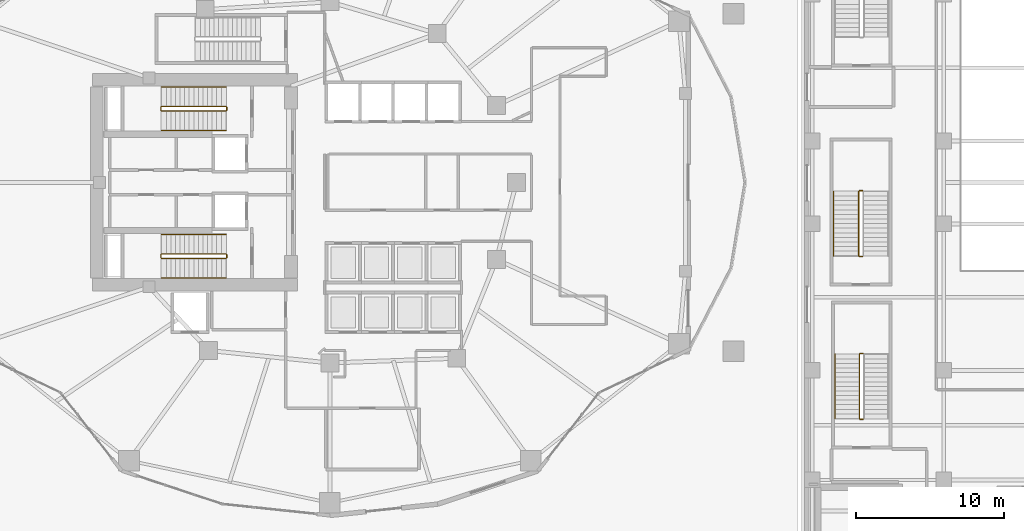
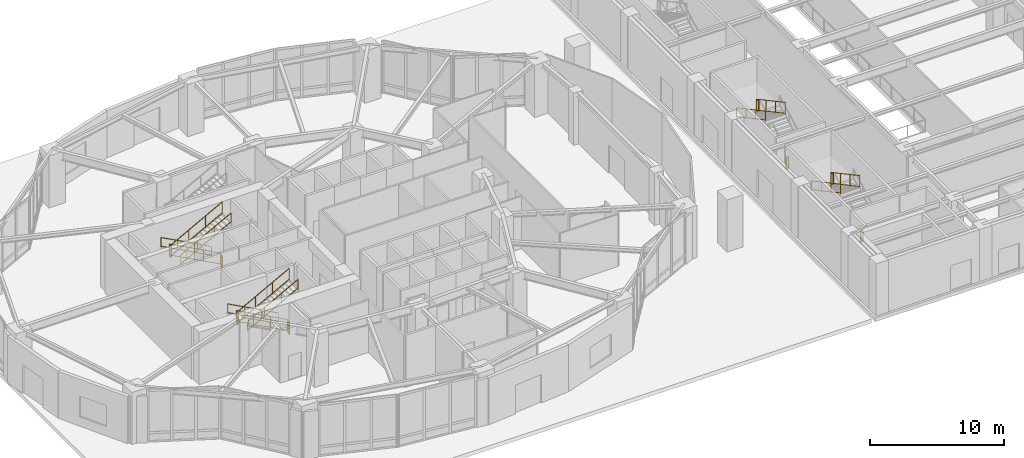
# One storey, part 19 of 23: 20 railings.
"""IFC4 building model written with IfcOpenShell, lengths in metres."""

from ifc_helpers import new_model, si_unit, direction, frame, origin, origin_2d, place, context, subcontext, project, spatial, rectangle, extrude, material, type_object, element, save


model = new_model("IFC4")

# Units and contexts
model_context = context("Model", 3, precision=1e-05, world=origin(), true_north=direction((0.0, 1.0)))
body_context = subcontext(model_context, "Body", "Model", "MODEL_VIEW")
ifc_project = project(units=[si_unit("LENGTHUNIT", "METRE"), si_unit("AREAUNIT", "SQUARE_METRE"), si_unit("VOLUMEUNIT", "CUBIC_METRE"), si_unit("PLANEANGLEUNIT", "RADIAN"), si_unit("MASSUNIT", "GRAM", prefix="KILO")], contexts=[model_context])

# Site, building, storey
site_placement = place(None, origin())
site = spatial("IfcSite", under=ifc_project, at=site_placement, CompositionType="ELEMENT")
building_placement = place(site_placement, origin())
building = spatial("IfcBuilding", under=site, at=building_placement, Name="Kolvaren Gate Tower and Convention Centre", CompositionType="ELEMENT")
storey_placement = place(building_placement, origin())
storey = spatial("IfcBuildingStorey", under=building, at=storey_placement, Name="L00", CompositionType="ELEMENT", Elevation=0.0)

# Railings
ifc_material = material(Name="Brushed Stainless Steel Grade 316L", Category="steel")
railing_type_1 = type_object("IfcRailingType", Name="ARCH-RL-GUARD-1150", PredefinedType="GUARDRAIL", material=ifc_material)
railing_1_placement = place(storey_placement, frame((23.10009765625, 32.1298828125, 0.166748046875)))
element("IfcRailing", 1, at=railing_1_placement, inside=storey, type_object=railing_type_1, Name="L00 ST-T1 stair guard 1", PredefinedType="GUARDRAIL", context=body_context, shape_type="SweptSolid", body=[
    extrude(rectangle(XDim=0.048095703125, YDim=0.048095703125, at=origin_2d()), frame((0.0, 0.0, 1.076171875), z_axis=(-0.880785911426, 0.0, 0.473514707515), x_axis=(0.0, -1.0, 0.0)), (0.0, 0.0, 1.0), 4.927490234375),
    extrude(rectangle(XDim=0.048095703125, YDim=0.048095703125, at=origin_2d()), frame((0.0, 0.0, 0.083984375), z_axis=(-0.880785911426, 0.0, 0.473514707515), x_axis=(0.0, -1.0, 0.0)), (0.0, 0.0, 1.0), 4.927490234375),
    extrude(rectangle(XDim=0.0419921875, YDim=0.0419921875, at=origin_2d()), origin(), (0.0, 0.0, 1.0), 1.050048828125),
    extrude(rectangle(XDim=0.0419921875, YDim=0.0419921875, at=origin_2d()), frame((-4.340087890625, 0.0, 2.333251953125)), (0.0, 0.0, 1.0), 1.050048828125),
    extrude(rectangle(XDim=0.0419921875, YDim=0.0419921875, at=origin_2d()), frame((-1.44677734375, 0.0, 0.77783203125)), (0.0, 0.0, 1.0), 1.050048828125),
    extrude(rectangle(XDim=0.0419921875, YDim=0.0419921875, at=origin_2d()), frame((-2.893310546875, 0.0, 1.555419921875)), (0.0, 0.0, 1.0), 1.050048828125),
])
railing_2_placement = place(storey_placement, frame((18.7099609375, 32.080078125, 2.5)))
element("IfcRailing", 2, at=railing_2_placement, inside=storey, type_object=railing_type_1, Name="L00 ST-T1 stair guard 2", PredefinedType="GUARDRAIL", context=body_context, shape_type="SweptSolid", body=[
    extrude(rectangle(XDim=0.048095703125, YDim=0.048095703125, at=origin_2d()), frame((0.0, 0.0, 1.076171875), z_axis=(0.0, -1.0, 0.0), x_axis=(1.0, 0.0, 0.0)), (0.0, 0.0, 1.0), 0.2001953125),
    extrude(rectangle(XDim=0.048095703125, YDim=0.048095703125, at=origin_2d()), frame((0.0, 0.0, 0.083984375), z_axis=(0.0, -1.0, 0.0), x_axis=(1.0, 0.0, 0.0)), (0.0, 0.0, 1.0), 0.2001953125),
    extrude(rectangle(XDim=0.0419921875, YDim=0.0419921875, at=origin_2d()), origin(), (0.0, 0.0, 1.0), 1.050048828125),
    extrude(rectangle(XDim=0.0419921875, YDim=0.0419921875, at=origin_2d()), frame((0.0, -0.2001953125, 0.0)), (0.0, 0.0, 1.0), 1.050048828125),
])
railing_3_placement = place(storey_placement, frame((18.760009765625, 31.830078125, 2.666748046875)))
element("IfcRailing", 3, at=railing_3_placement, inside=storey, type_object=railing_type_1, Name="L00 ST-T1 stair guard 3", PredefinedType="GUARDRAIL", context=body_context, shape_type="SweptSolid", body=[
    extrude(rectangle(XDim=0.048095703125, YDim=0.048095703125, at=origin_2d()), frame((0.0, 0.0, 1.076171875), z_axis=(0.880785911426, 0.0, 0.473514707515), x_axis=(0.0, 1.0, 0.0)), (0.0, 0.0, 1.0), 4.927490234375),
    extrude(rectangle(XDim=0.048095703125, YDim=0.048095703125, at=origin_2d()), frame((0.0, 0.0, 0.083984375), z_axis=(0.880785911426, 0.0, 0.473514707515), x_axis=(0.0, 1.0, 0.0)), (0.0, 0.0, 1.0), 4.927490234375),
    extrude(rectangle(XDim=0.0419921875, YDim=0.0419921875, at=origin_2d()), origin(), (0.0, 0.0, 1.0), 1.050048828125),
    extrude(rectangle(XDim=0.0419921875, YDim=0.0419921875, at=origin_2d()), frame((4.340087890625, 0.0, 2.333251953125)), (0.0, 0.0, 1.0), 1.050048828125),
    extrude(rectangle(XDim=0.0419921875, YDim=0.0419921875, at=origin_2d()), frame((1.44677734375, 0.0, 0.77783203125)), (0.0, 0.0, 1.0), 1.050048828125),
    extrude(rectangle(XDim=0.0419921875, YDim=0.0419921875, at=origin_2d()), frame((2.893310546875, 0.0, 1.555419921875)), (0.0, 0.0, 1.0), 1.050048828125),
])
railing_4_placement = place(storey_placement, frame((23.14990234375, 32.080078125, 0.0)))
element("IfcRailing", 4, at=railing_4_placement, inside=storey, type_object=railing_type_1, Name="L00 ST-T1 stair guard 4", PredefinedType="GUARDRAIL", context=body_context, shape_type="SweptSolid", body=[
    extrude(rectangle(XDim=0.048095703125, YDim=0.048095703125, at=origin_2d()), frame((0.0, 0.0, 1.076171875), z_axis=(0.0, -1.0, 0.0), x_axis=(1.0, 0.0, 0.0)), (0.0, 0.0, 1.0), 0.2001953125),
    extrude(rectangle(XDim=0.048095703125, YDim=0.048095703125, at=origin_2d()), frame((0.0, 0.0, 0.083984375), z_axis=(0.0, -1.0, 0.0), x_axis=(1.0, 0.0, 0.0)), (0.0, 0.0, 1.0), 0.2001953125),
    extrude(rectangle(XDim=0.0419921875, YDim=0.0419921875, at=origin_2d()), origin(), (0.0, 0.0, 1.0), 1.050048828125),
    extrude(rectangle(XDim=0.0419921875, YDim=0.0419921875, at=origin_2d()), frame((0.0, -0.2001953125, 0.0)), (0.0, 0.0, 1.0), 1.050048828125),
])
railing_5_placement = place(storey_placement, frame((23.10009765625, 22.169921875, 0.166748046875)))
element("IfcRailing", 5, at=railing_5_placement, inside=storey, type_object=railing_type_1, Name="L00 ST-T2 stair guard 1", PredefinedType="GUARDRAIL", context=body_context, shape_type="SweptSolid", body=[
    extrude(rectangle(XDim=0.048095703125, YDim=0.048095703125, at=origin_2d()), frame((0.0, 0.0, 1.076171875), z_axis=(-0.880785911426, 0.0, 0.473514707515), x_axis=(0.0, -1.0, 0.0)), (0.0, 0.0, 1.0), 4.927490234375),
    extrude(rectangle(XDim=0.048095703125, YDim=0.048095703125, at=origin_2d()), frame((0.0, 0.0, 0.083984375), z_axis=(-0.880785911426, 0.0, 0.473514707515), x_axis=(0.0, -1.0, 0.0)), (0.0, 0.0, 1.0), 4.927490234375),
    extrude(rectangle(XDim=0.0419921875, YDim=0.0419921875, at=origin_2d()), origin(), (0.0, 0.0, 1.0), 1.050048828125),
    extrude(rectangle(XDim=0.0419921875, YDim=0.0419921875, at=origin_2d()), frame((-4.340087890625, 0.0, 2.333251953125)), (0.0, 0.0, 1.0), 1.050048828125),
    extrude(rectangle(XDim=0.0419921875, YDim=0.0419921875, at=origin_2d()), frame((-1.44677734375, 0.0, 0.77783203125)), (0.0, 0.0, 1.0), 1.050048828125),
    extrude(rectangle(XDim=0.0419921875, YDim=0.0419921875, at=origin_2d()), frame((-2.893310546875, 0.0, 1.555419921875)), (0.0, 0.0, 1.0), 1.050048828125),
])
railing_6_placement = place(storey_placement, frame((18.7099609375, 22.1201171875, 2.5)))
element("IfcRailing", 6, at=railing_6_placement, inside=storey, type_object=railing_type_1, Name="L00 ST-T2 stair guard 2", PredefinedType="GUARDRAIL", context=body_context, shape_type="SweptSolid", body=[
    extrude(rectangle(XDim=0.048095703125, YDim=0.048095703125, at=origin_2d()), frame((0.0, 0.0, 1.076171875), z_axis=(0.0, -1.0, 0.0), x_axis=(1.0, 0.0, 0.0)), (0.0, 0.0, 1.0), 0.2001953125),
    extrude(rectangle(XDim=0.048095703125, YDim=0.048095703125, at=origin_2d()), frame((0.0, 0.0, 0.083984375), z_axis=(0.0, -1.0, 0.0), x_axis=(1.0, 0.0, 0.0)), (0.0, 0.0, 1.0), 0.2001953125),
    extrude(rectangle(XDim=0.0419921875, YDim=0.0419921875, at=origin_2d()), origin(), (0.0, 0.0, 1.0), 1.050048828125),
    extrude(rectangle(XDim=0.0419921875, YDim=0.0419921875, at=origin_2d()), frame((0.0, -0.2001953125, 0.0)), (0.0, 0.0, 1.0), 1.050048828125),
])
railing_7_placement = place(storey_placement, frame((18.760009765625, 21.8701171875, 2.666748046875)))
element("IfcRailing", 7, at=railing_7_placement, inside=storey, type_object=railing_type_1, Name="L00 ST-T2 stair guard 3", PredefinedType="GUARDRAIL", context=body_context, shape_type="SweptSolid", body=[
    extrude(rectangle(XDim=0.048095703125, YDim=0.048095703125, at=origin_2d()), frame((0.0, 0.0, 1.076171875), z_axis=(0.880785911426, 0.0, 0.473514707515), x_axis=(0.0, 1.0, 0.0)), (0.0, 0.0, 1.0), 4.927490234375),
    extrude(rectangle(XDim=0.048095703125, YDim=0.048095703125, at=origin_2d()), frame((0.0, 0.0, 0.083984375), z_axis=(0.880785911426, 0.0, 0.473514707515), x_axis=(0.0, 1.0, 0.0)), (0.0, 0.0, 1.0), 4.927490234375),
    extrude(rectangle(XDim=0.0419921875, YDim=0.0419921875, at=origin_2d()), origin(), (0.0, 0.0, 1.0), 1.050048828125),
    extrude(rectangle(XDim=0.0419921875, YDim=0.0419921875, at=origin_2d()), frame((4.340087890625, 0.0, 2.333251953125)), (0.0, 0.0, 1.0), 1.050048828125),
    extrude(rectangle(XDim=0.0419921875, YDim=0.0419921875, at=origin_2d()), frame((1.44677734375, 0.0, 0.77783203125)), (0.0, 0.0, 1.0), 1.050048828125),
    extrude(rectangle(XDim=0.0419921875, YDim=0.0419921875, at=origin_2d()), frame((2.893310546875, 0.0, 1.555419921875)), (0.0, 0.0, 1.0), 1.050048828125),
])
railing_8_placement = place(storey_placement, frame((23.14990234375, 22.1201171875, 0.0)))
element("IfcRailing", 8, at=railing_8_placement, inside=storey, type_object=railing_type_1, Name="L00 ST-T2 stair guard 4", PredefinedType="GUARDRAIL", context=body_context, shape_type="SweptSolid", body=[
    extrude(rectangle(XDim=0.048095703125, YDim=0.048095703125, at=origin_2d()), frame((0.0, 0.0, 1.076171875), z_axis=(0.0, -1.0, 0.0), x_axis=(1.0, 0.0, 0.0)), (0.0, 0.0, 1.0), 0.2001953125),
    extrude(rectangle(XDim=0.048095703125, YDim=0.048095703125, at=origin_2d()), frame((0.0, 0.0, 0.083984375), z_axis=(0.0, -1.0, 0.0), x_axis=(1.0, 0.0, 0.0)), (0.0, 0.0, 1.0), 0.2001953125),
    extrude(rectangle(XDim=0.0419921875, YDim=0.0419921875, at=origin_2d()), origin(), (0.0, 0.0, 1.0), 1.050048828125),
    extrude(rectangle(XDim=0.0419921875, YDim=0.0419921875, at=origin_2d()), frame((0.0, -0.2001953125, 0.0)), (0.0, 0.0, 1.0), 1.050048828125),
])
railing_9_placement = place(storey_placement, frame((66.14990234375, 15.43994140625, 2.5)))
element("IfcRailing", 9, at=railing_9_placement, inside=storey, type_object=railing_type_1, Name="L00 ST-C2 stair guard 2", PredefinedType="GUARDRAIL", context=body_context, shape_type="SweptSolid", body=[
    extrude(rectangle(XDim=0.048095703125, YDim=0.048095703125, at=origin_2d()), frame((0.0, 0.0, 1.076171875), z_axis=(-1.0, 0.0, 0.0), x_axis=(0.0, -1.0, 0.0)), (0.0, 0.0, 1.0), 0.199951171875),
    extrude(rectangle(XDim=0.048095703125, YDim=0.048095703125, at=origin_2d()), frame((0.0, 0.0, 0.083984375), z_axis=(-1.0, 0.0, 0.0), x_axis=(0.0, -1.0, 0.0)), (0.0, 0.0, 1.0), 0.199951171875),
    extrude(rectangle(XDim=0.0419921875, YDim=0.0419921875, at=origin_2d()), origin(), (0.0, 0.0, 1.0), 1.050048828125),
    extrude(rectangle(XDim=0.0419921875, YDim=0.0419921875, at=origin_2d()), frame((-0.199951171875, 0.0, 0.0)), (0.0, 0.0, 1.0), 1.050048828125),
])
railing_10_placement = place(storey_placement, frame((65.89990234375, 15.389892578125, 2.666748046875)))
element("IfcRailing", 10, at=railing_10_placement, inside=storey, type_object=railing_type_1, Name="L00 ST-C2 stair guard 3", PredefinedType="GUARDRAIL", context=body_context, shape_type="SweptSolid", body=[
    extrude(rectangle(XDim=0.048095703125, YDim=0.048095703125, at=origin_2d()), frame((0.0, 0.0, 1.076171875), z_axis=(0.0, -0.8807748016, 0.47353537235), x_axis=(1.0, 0.0, 0.0)), (0.0, 0.0, 1.0), 4.92724609375),
    extrude(rectangle(XDim=0.048095703125, YDim=0.048095703125, at=origin_2d()), frame((0.0, 0.0, 0.083984375), z_axis=(0.0, -0.8807748016, 0.47353537235), x_axis=(1.0, 0.0, 0.0)), (0.0, 0.0, 1.0), 4.92724609375),
    extrude(rectangle(XDim=0.0419921875, YDim=0.0419921875, at=origin_2d()), origin(), (0.0, 0.0, 1.0), 1.050048828125),
    extrude(rectangle(XDim=0.0419921875, YDim=0.0419921875, at=origin_2d()), frame((0.0, -4.33984375, 2.333251953125)), (0.0, 0.0, 1.0), 1.050048828125),
    extrude(rectangle(XDim=0.0419921875, YDim=0.0419921875, at=origin_2d()), frame((0.0, -1.446533203125, 0.77783203125)), (0.0, 0.0, 1.0), 1.050048828125),
    extrude(rectangle(XDim=0.0419921875, YDim=0.0419921875, at=origin_2d()), frame((0.0, -2.893310546875, 1.555419921875)), (0.0, 0.0, 1.0), 1.050048828125),
])
railing_11_placement = place(storey_placement, frame((66.14990234375, 11.0, 0.0)))
element("IfcRailing", 11, at=railing_11_placement, inside=storey, type_object=railing_type_1, Name="L00 ST-C2 stair guard 4", PredefinedType="GUARDRAIL", context=body_context, shape_type="SweptSolid", body=[
    extrude(rectangle(XDim=0.048095703125, YDim=0.048095703125, at=origin_2d()), frame((0.0, 0.0, 1.076171875), z_axis=(-1.0, 0.0, 0.0), x_axis=(0.0, -1.0, 0.0)), (0.0, 0.0, 1.0), 0.199951171875),
    extrude(rectangle(XDim=0.048095703125, YDim=0.048095703125, at=origin_2d()), frame((0.0, 0.0, 0.083984375), z_axis=(-1.0, 0.0, 0.0), x_axis=(0.0, -1.0, 0.0)), (0.0, 0.0, 1.0), 0.199951171875),
    extrude(rectangle(XDim=0.0419921875, YDim=0.0419921875, at=origin_2d()), origin(), (0.0, 0.0, 1.0), 1.050048828125),
    extrude(rectangle(XDim=0.0419921875, YDim=0.0419921875, at=origin_2d()), frame((-0.199951171875, 0.0, 0.0)), (0.0, 0.0, 1.0), 1.050048828125),
])
railing_12_placement = place(storey_placement, frame((66.10009765625, 26.43994140625, 2.5)))
element("IfcRailing", 12, at=railing_12_placement, inside=storey, type_object=railing_type_1, Name="L00 ST-C5 stair guard 2", PredefinedType="GUARDRAIL", context=body_context, shape_type="SweptSolid", body=[
    extrude(rectangle(XDim=0.048095703125, YDim=0.048095703125, at=origin_2d()), frame((0.0, 0.0, 1.076171875), z_axis=(-1.0, 0.0, 0.0), x_axis=(0.0, -1.0, 0.0)), (0.0, 0.0, 1.0), 0.2001953125),
    extrude(rectangle(XDim=0.048095703125, YDim=0.048095703125, at=origin_2d()), frame((0.0, 0.0, 0.083984375), z_axis=(-1.0, 0.0, 0.0), x_axis=(0.0, -1.0, 0.0)), (0.0, 0.0, 1.0), 0.2001953125),
    extrude(rectangle(XDim=0.0419921875, YDim=0.0419921875, at=origin_2d()), origin(), (0.0, 0.0, 1.0), 1.050048828125),
    extrude(rectangle(XDim=0.0419921875, YDim=0.0419921875, at=origin_2d()), frame((-0.2001953125, 0.0, 0.0)), (0.0, 0.0, 1.0), 1.050048828125),
])
railing_13_placement = place(storey_placement, frame((65.85009765625, 26.389892578125, 2.666748046875)))
element("IfcRailing", 13, at=railing_13_placement, inside=storey, type_object=railing_type_1, Name="L00 ST-C5 stair guard 3", PredefinedType="GUARDRAIL", context=body_context, shape_type="SweptSolid", body=[
    extrude(rectangle(XDim=0.048095703125, YDim=0.048095703125, at=origin_2d()), frame((0.0, 0.0, 1.076171875), z_axis=(0.0, -0.8807748016, 0.47353537235), x_axis=(1.0, 0.0, 0.0)), (0.0, 0.0, 1.0), 4.92724609375),
    extrude(rectangle(XDim=0.048095703125, YDim=0.048095703125, at=origin_2d()), frame((0.0, 0.0, 0.083984375), z_axis=(0.0, -0.8807748016, 0.47353537235), x_axis=(1.0, 0.0, 0.0)), (0.0, 0.0, 1.0), 4.92724609375),
    extrude(rectangle(XDim=0.0419921875, YDim=0.0419921875, at=origin_2d()), origin(), (0.0, 0.0, 1.0), 1.050048828125),
    extrude(rectangle(XDim=0.0419921875, YDim=0.0419921875, at=origin_2d()), frame((0.0, -4.33984375, 2.333251953125)), (0.0, 0.0, 1.0), 1.050048828125),
    extrude(rectangle(XDim=0.0419921875, YDim=0.0419921875, at=origin_2d()), frame((0.0, -1.446533203125, 0.77783203125)), (0.0, 0.0, 1.0), 1.050048828125),
    extrude(rectangle(XDim=0.0419921875, YDim=0.0419921875, at=origin_2d()), frame((0.0, -2.893310546875, 1.555419921875)), (0.0, 0.0, 1.0), 1.050048828125),
])
railing_14_placement = place(storey_placement, frame((66.10009765625, 22.0, 0.0)))
element("IfcRailing", 14, at=railing_14_placement, inside=storey, type_object=railing_type_1, Name="L00 ST-C5 stair guard 4", PredefinedType="GUARDRAIL", context=body_context, shape_type="SweptSolid", body=[
    extrude(rectangle(XDim=0.048095703125, YDim=0.048095703125, at=origin_2d()), frame((0.0, 0.0, 1.076171875), z_axis=(-1.0, 0.0, 0.0), x_axis=(0.0, -1.0, 0.0)), (0.0, 0.0, 1.0), 0.2001953125),
    extrude(rectangle(XDim=0.048095703125, YDim=0.048095703125, at=origin_2d()), frame((0.0, 0.0, 0.083984375), z_axis=(-1.0, 0.0, 0.0), x_axis=(0.0, -1.0, 0.0)), (0.0, 0.0, 1.0), 0.2001953125),
    extrude(rectangle(XDim=0.0419921875, YDim=0.0419921875, at=origin_2d()), origin(), (0.0, 0.0, 1.0), 1.050048828125),
    extrude(rectangle(XDim=0.0419921875, YDim=0.0419921875, at=origin_2d()), frame((-0.2001953125, 0.0, 0.0)), (0.0, 0.0, 1.0), 1.050048828125),
])
railing_type_2 = type_object("IfcRailingType", Name="ARCH-RL-HANDRAIL-920", PredefinedType="HANDRAIL", material=ifc_material)
railing_15_placement = place(storey_placement, frame((23.10009765625, 33.449951171875, 0.166748046875)))
element("IfcRailing", 15, at=railing_15_placement, inside=storey, type_object=railing_type_2, Name="L00 ST-T1 stair handrail 1", PredefinedType="HANDRAIL", context=body_context, shape_type="SweptSolid", body=[
    extrude(rectangle(XDim=0.048095703125, YDim=0.048095703125, at=origin_2d()), frame((0.0, 0.0, 0.8759765625), z_axis=(-0.880785911426, 0.0, 0.473514707515), x_axis=(0.0, -1.0, 0.0)), (0.0, 0.0, 1.0), 4.927490234375),
    extrude(rectangle(XDim=0.048095703125, YDim=0.048095703125, at=origin_2d()), frame((0.0, 0.0, 0.083984375), z_axis=(-0.880785911426, 0.0, 0.473514707515), x_axis=(0.0, -1.0, 0.0)), (0.0, 0.0, 1.0), 4.927490234375),
    extrude(rectangle(XDim=0.0419921875, YDim=0.0419921875, at=origin_2d()), origin(), (0.0, 0.0, 1.0), 0.849853515625),
    extrude(rectangle(XDim=0.0419921875, YDim=0.0419921875, at=origin_2d()), frame((-4.340087890625, 0.0, 2.333251953125)), (0.0, 0.0, 1.0), 0.849853515625),
    extrude(rectangle(XDim=0.0419921875, YDim=0.0419921875, at=origin_2d()), frame((-1.44677734375, 0.0, 0.77783203125)), (0.0, 0.0, 1.0), 0.849853515625),
    extrude(rectangle(XDim=0.0419921875, YDim=0.0419921875, at=origin_2d()), frame((-2.893310546875, 0.0, 1.555419921875)), (0.0, 0.0, 1.0), 0.849853515625),
])
railing_16_placement = place(storey_placement, frame((18.760009765625, 30.510009765625, 2.666748046875)))
element("IfcRailing", 16, at=railing_16_placement, inside=storey, type_object=railing_type_2, Name="L00 ST-T1 stair handrail 2", PredefinedType="HANDRAIL", context=body_context, shape_type="SweptSolid", body=[
    extrude(rectangle(XDim=0.048095703125, YDim=0.048095703125, at=origin_2d()), frame((0.0, 0.0, 0.8759765625), z_axis=(0.880785911426, 0.0, 0.473514707515), x_axis=(0.0, 1.0, 0.0)), (0.0, 0.0, 1.0), 4.927490234375),
    extrude(rectangle(XDim=0.048095703125, YDim=0.048095703125, at=origin_2d()), frame((0.0, 0.0, 0.083984375), z_axis=(0.880785911426, 0.0, 0.473514707515), x_axis=(0.0, 1.0, 0.0)), (0.0, 0.0, 1.0), 4.927490234375),
    extrude(rectangle(XDim=0.0419921875, YDim=0.0419921875, at=origin_2d()), origin(), (0.0, 0.0, 1.0), 0.849853515625),
    extrude(rectangle(XDim=0.0419921875, YDim=0.0419921875, at=origin_2d()), frame((4.340087890625, 0.0, 2.333251953125)), (0.0, 0.0, 1.0), 0.849853515625),
    extrude(rectangle(XDim=0.0419921875, YDim=0.0419921875, at=origin_2d()), frame((1.44677734375, 0.0, 0.77783203125)), (0.0, 0.0, 1.0), 0.849853515625),
    extrude(rectangle(XDim=0.0419921875, YDim=0.0419921875, at=origin_2d()), frame((2.893310546875, 0.0, 1.555419921875)), (0.0, 0.0, 1.0), 0.849853515625),
])
railing_17_placement = place(storey_placement, frame((23.10009765625, 23.489990234375, 0.166748046875)))
element("IfcRailing", 17, at=railing_17_placement, inside=storey, type_object=railing_type_2, Name="L00 ST-T2 stair handrail 1", PredefinedType="HANDRAIL", context=body_context, shape_type="SweptSolid", body=[
    extrude(rectangle(XDim=0.048095703125, YDim=0.048095703125, at=origin_2d()), frame((0.0, 0.0, 0.8759765625), z_axis=(-0.880785911426, 0.0, 0.473514707515), x_axis=(0.0, -1.0, 0.0)), (0.0, 0.0, 1.0), 4.927490234375),
    extrude(rectangle(XDim=0.048095703125, YDim=0.048095703125, at=origin_2d()), frame((0.0, 0.0, 0.083984375), z_axis=(-0.880785911426, 0.0, 0.473514707515), x_axis=(0.0, -1.0, 0.0)), (0.0, 0.0, 1.0), 4.927490234375),
    extrude(rectangle(XDim=0.0419921875, YDim=0.0419921875, at=origin_2d()), origin(), (0.0, 0.0, 1.0), 0.849853515625),
    extrude(rectangle(XDim=0.0419921875, YDim=0.0419921875, at=origin_2d()), frame((-4.340087890625, 0.0, 2.333251953125)), (0.0, 0.0, 1.0), 0.849853515625),
    extrude(rectangle(XDim=0.0419921875, YDim=0.0419921875, at=origin_2d()), frame((-1.44677734375, 0.0, 0.77783203125)), (0.0, 0.0, 1.0), 0.849853515625),
    extrude(rectangle(XDim=0.0419921875, YDim=0.0419921875, at=origin_2d()), frame((-2.893310546875, 0.0, 1.555419921875)), (0.0, 0.0, 1.0), 0.849853515625),
])
railing_18_placement = place(storey_placement, frame((18.760009765625, 20.550048828125, 2.666748046875)))
element("IfcRailing", 18, at=railing_18_placement, inside=storey, type_object=railing_type_2, Name="L00 ST-T2 stair handrail 2", PredefinedType="HANDRAIL", context=body_context, shape_type="SweptSolid", body=[
    extrude(rectangle(XDim=0.048095703125, YDim=0.048095703125, at=origin_2d()), frame((0.0, 0.0, 0.8759765625), z_axis=(0.880785911426, 0.0, 0.473514707515), x_axis=(0.0, 1.0, 0.0)), (0.0, 0.0, 1.0), 4.927490234375),
    extrude(rectangle(XDim=0.048095703125, YDim=0.048095703125, at=origin_2d()), frame((0.0, 0.0, 0.083984375), z_axis=(0.880785911426, 0.0, 0.473514707515), x_axis=(0.0, 1.0, 0.0)), (0.0, 0.0, 1.0), 4.927490234375),
    extrude(rectangle(XDim=0.0419921875, YDim=0.0419921875, at=origin_2d()), origin(), (0.0, 0.0, 1.0), 0.849853515625),
    extrude(rectangle(XDim=0.0419921875, YDim=0.0419921875, at=origin_2d()), frame((4.340087890625, 0.0, 2.333251953125)), (0.0, 0.0, 1.0), 0.849853515625),
    extrude(rectangle(XDim=0.0419921875, YDim=0.0419921875, at=origin_2d()), frame((1.44677734375, 0.0, 0.77783203125)), (0.0, 0.0, 1.0), 0.849853515625),
    extrude(rectangle(XDim=0.0419921875, YDim=0.0419921875, at=origin_2d()), frame((2.893310546875, 0.0, 1.555419921875)), (0.0, 0.0, 1.0), 0.849853515625),
])
for number, where, name in (
    (19, (64.25, 15.389892578125, 2.666748046875), "L00 ST-C2 stair handrail 2"),
    (20, (64.14990234375, 26.389892578125, 2.666748046875), "L00 ST-C5 stair handrail 2"),
):
    element("IfcRailing", number, at=place(storey_placement, frame(where)), inside=storey, type_object=railing_type_2, Name=name, PredefinedType="HANDRAIL", context=body_context, shape_type="SweptSolid", body=[
        extrude(rectangle(XDim=0.048095703125, YDim=0.048095703125, at=origin_2d()), frame((0.0, 0.0, 0.8759765625), z_axis=(0.0, -0.8807748016, 0.47353537235), x_axis=(1.0, 0.0, 0.0)), (0.0, 0.0, 1.0), 4.92724609375),
        extrude(rectangle(XDim=0.048095703125, YDim=0.048095703125, at=origin_2d()), frame((0.0, 0.0, 0.083984375), z_axis=(0.0, -0.8807748016, 0.47353537235), x_axis=(1.0, 0.0, 0.0)), (0.0, 0.0, 1.0), 4.92724609375),
        extrude(rectangle(XDim=0.0419921875, YDim=0.0419921875, at=origin_2d()), origin(), (0.0, 0.0, 1.0), 0.849853515625),
        extrude(rectangle(XDim=0.0419921875, YDim=0.0419921875, at=origin_2d()), frame((0.0, -4.33984375, 2.333251953125)), (0.0, 0.0, 1.0), 0.849853515625),
        extrude(rectangle(XDim=0.0419921875, YDim=0.0419921875, at=origin_2d()), frame((0.0, -1.446533203125, 0.77783203125)), (0.0, 0.0, 1.0), 0.849853515625),
        extrude(rectangle(XDim=0.0419921875, YDim=0.0419921875, at=origin_2d()), frame((0.0, -2.893310546875, 1.555419921875)), (0.0, 0.0, 1.0), 0.849853515625),
    ])

save(model, "model.ifc")
